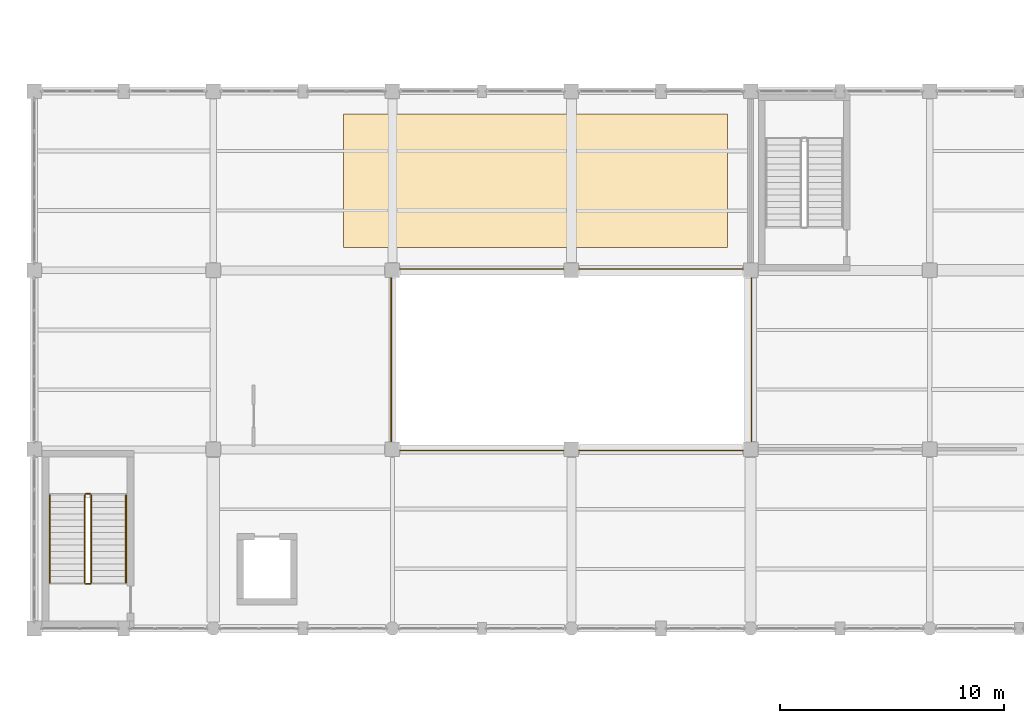
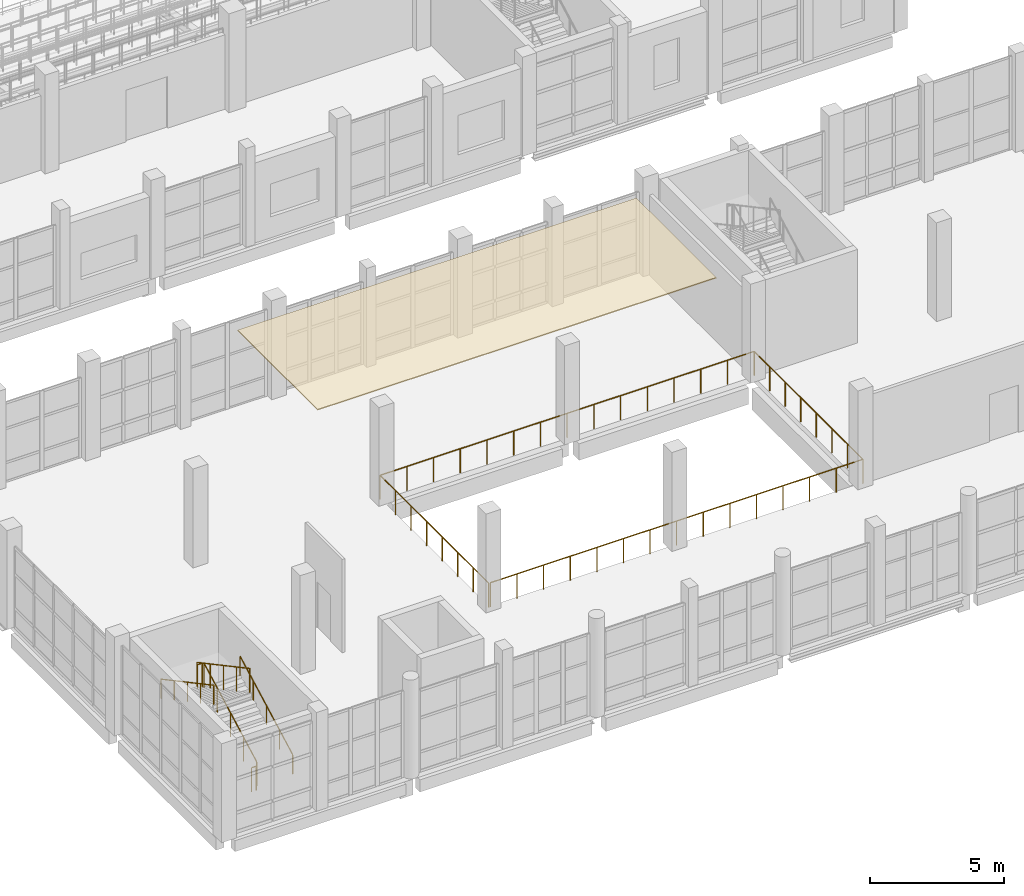
# One storey, part 165 of 183: 7 railings, 1 covering.
"""IFC4 building model written with IfcOpenShell, lengths in metres."""

from ifc_helpers import new_model, si_unit, direction, frame, origin, origin_2d, place, context, subcontext, project, spatial, polyline, circle, outline, extrude, material, layer, layer_set, type_object, element, save


model = new_model("IFC4")

# Units and contexts
model_context = context("Model", 3, precision=1e-05, world=origin(), true_north=direction((0.0, 1.0)))
body_context = subcontext(model_context, "Body", "Model", "MODEL_VIEW")
ifc_project = project(units=[si_unit("LENGTHUNIT", "METRE"), si_unit("AREAUNIT", "SQUARE_METRE"), si_unit("VOLUMEUNIT", "CUBIC_METRE"), si_unit("PLANEANGLEUNIT", "RADIAN"), si_unit("MASSUNIT", "GRAM", prefix="KILO")], contexts=[model_context])

# Site, building, storey
site_placement = place(None, origin())
site = spatial("IfcSite", under=ifc_project, at=site_placement, CompositionType="ELEMENT")
building_placement = place(site_placement, origin())
building = spatial("IfcBuilding", under=site, at=building_placement, Name="Luwemba Playhouse", CompositionType="ELEMENT")
storey_placement = place(building_placement, frame((0.0, 0.0, 4.800048828125)))
storey = spatial("IfcBuildingStorey", under=building, at=storey_placement, Name="L01", CompositionType="ELEMENT", Elevation=4.800048828125)

# Covering
ifc_material_1 = material(Name="Perforated acoustic gypsum and timber baffle ceiling", Category="wood")
ifc_layer = layer(ifc_material_1, 0.044921875)
ifc_layer_set = layer_set([ifc_layer], Name="Perforated acoustic gypsum and timber baffle ceiling")
covering_type = type_object("IfcCoveringType", Name="COV-CEIL-AC", PredefinedType="CEILING", material=ifc_layer_set)
covering_placement = place(storey_placement, frame((0.0, 0.0, 4.204833984375)))
element("IfcCovering", 1, at=covering_placement, inside=storey, type_object=covering_type, Name="L01 Stage Costume and Set Model Exhibition Room acoustic ceiling cloud", PredefinedType="CEILING", context=body_context, shape_type="SweptSolid", body=[
    extrude(outline(polyline([(17.820068359375, 20.02001953125), (34.97998046875, 20.02001953125), (34.97998046875, 25.97998046875), (17.820068359375, 25.97998046875), (17.820068359375, 20.02001953125)])), origin(), (0.0, 0.0, 1.0), 0.045166015625),
])

# Railings
ifc_material_2 = material(Name="Painted wrought-iron gallery balustrade", Category="steel")
railing_type_1 = type_object("IfcRailingType", Name="RLG-BAL-INT", PredefinedType="BALUSTRADE", material=ifc_material_2)
railing_1_placement = place(storey_placement, frame((6.550048828125, 5.0400390625, 0.14990234375)))
element("IfcRailing", 2, at=railing_1_placement, inside=storey, type_object=railing_type_1, Name="L01 ST-04 stair guard 1", PredefinedType="BALUSTRADE", context=body_context, shape_type="SweptSolid", body=[
    extrude(circle(Radius=0.02392578125, at=origin_2d()), frame((0.0, 0.0, 1.09619140625), z_axis=(0.0, 0.881466911329, 0.472245787945), x_axis=(-1.0, 0.0, 0.0)), (0.0, 0.0, 1.0), 4.447021484375),
    extrude(circle(Radius=0.02099609375, at=origin_2d()), origin(), (0.0, 0.0, 1.0), 1.072021484375),
    extrude(circle(Radius=0.02099609375, at=origin_2d()), frame((0.0, 0.97998046875, 0.52490234375)), (0.0, 0.0, 1.0), 1.072021484375),
    extrude(circle(Radius=0.02099609375, at=origin_2d()), frame((0.0, 1.9599609375, 1.050048828125)), (0.0, 0.0, 1.0), 1.072021484375),
    extrude(circle(Radius=0.02099609375, at=origin_2d()), frame((0.0, 2.93994140625, 1.5751953125)), (0.0, 0.0, 1.0), 1.072021484375),
    extrude(circle(Radius=0.02099609375, at=origin_2d()), frame((0.0, 3.919921875, 2.10009765625)), (0.0, 0.0, 1.0), 1.072021484375),
])
railing_2_placement = place(storey_placement, frame((6.5, 9.010009765625, 2.25)))
element("IfcRailing", 3, at=railing_2_placement, inside=storey, type_object=railing_type_1, Name="L01 ST-04 stair guard 2", PredefinedType="BALUSTRADE", context=body_context, shape_type="SweptSolid", body=[
    extrude(circle(Radius=0.02392578125, at=origin_2d()), frame((0.0, 0.0, 1.09619140625), z_axis=(-1.0, 0.0, 0.0), x_axis=(0.0, -1.0, 0.0)), (0.0, 0.0, 1.0), 0.199951171875),
    extrude(circle(Radius=0.02099609375, at=origin_2d()), origin(), (0.0, 0.0, 1.0), 1.072021484375),
    extrude(circle(Radius=0.02099609375, at=origin_2d()), frame((-0.199951171875, 0.0, 0.0)), (0.0, 0.0, 1.0), 1.072021484375),
])
railing_3_placement = place(storey_placement, frame((6.25, 8.9599609375, 2.39990234375)))
element("IfcRailing", 4, at=railing_3_placement, inside=storey, type_object=railing_type_1, Name="L01 ST-04 stair guard 3", PredefinedType="BALUSTRADE", context=body_context, shape_type="SweptSolid", body=[
    extrude(circle(Radius=0.02392578125, at=origin_2d()), frame((0.0, 0.0, 1.09619140625), z_axis=(0.0, -0.881466911329, 0.472245787945), x_axis=(1.0, 0.0, 0.0)), (0.0, 0.0, 1.0), 4.447021484375),
    extrude(circle(Radius=0.02099609375, at=origin_2d()), origin(), (0.0, 0.0, 1.0), 1.072021484375),
    extrude(circle(Radius=0.02099609375, at=origin_2d()), frame((0.0, -0.97998046875, 0.52490234375)), (0.0, 0.0, 1.0), 1.072021484375),
    extrude(circle(Radius=0.02099609375, at=origin_2d()), frame((0.0, -1.9599609375, 1.050048828125)), (0.0, 0.0, 1.0), 1.072021484375),
    extrude(circle(Radius=0.02099609375, at=origin_2d()), frame((0.0, -2.93994140625, 1.5751953125)), (0.0, 0.0, 1.0), 1.072021484375),
    extrude(circle(Radius=0.02099609375, at=origin_2d()), frame((0.0, -3.919921875, 2.10009765625)), (0.0, 0.0, 1.0), 1.072021484375),
])
railing_4_placement = place(storey_placement, frame((6.5, 4.989990234375, 0.0)))
element("IfcRailing", 5, at=railing_4_placement, inside=storey, type_object=railing_type_1, Name="L01 ST-04 stair guard 4", PredefinedType="BALUSTRADE", context=body_context, shape_type="SweptSolid", body=[
    extrude(circle(Radius=0.02392578125, at=origin_2d()), frame((0.0, 0.0, 1.09619140625), z_axis=(-1.0, 0.0, 0.0), x_axis=(0.0, -1.0, 0.0)), (0.0, 0.0, 1.0), 0.199951171875),
    extrude(circle(Radius=0.02099609375, at=origin_2d()), origin(), (0.0, 0.0, 1.0), 1.072021484375),
    extrude(circle(Radius=0.02099609375, at=origin_2d()), frame((-0.199951171875, 0.0, 0.0)), (0.0, 0.0, 1.0), 1.072021484375),
])
railing_5_placement = place(storey_placement, frame((20.02001953125, 10.949951171875, 0.0)))
element("IfcRailing", 6, at=railing_5_placement, inside=storey, type_object=railing_type_1, Name="L01 V5W gallery void balustrade 008", PredefinedType="BALUSTRADE", context=body_context, shape_type="SweptSolid", body=[
    extrude(circle(Radius=0.02392578125, at=origin_2d()), frame((0.0, 0.0, 1.09619140625), z_axis=(1.0, 0.0, 0.0), x_axis=(0.0, 1.0, 0.0)), (0.0, 0.0, 1.0), 16.030029296875),
    extrude(circle(Radius=0.02392578125, at=origin_2d()), frame((16.030029296875, 0.0, 1.09619140625), z_axis=(0.0, 1.0, 0.0), x_axis=(-1.0, 0.0, 0.0)), (0.0, 0.0, 1.0), 8.10009765625),
    extrude(circle(Radius=0.02392578125, at=origin_2d()), frame((16.030029296875, 8.10009765625, 1.09619140625), z_axis=(-1.0, 0.0, 0.0), x_axis=(0.0, -1.0, 0.0)), (0.0, 0.0, 1.0), 16.10009765625),
    extrude(circle(Radius=0.02392578125, at=origin_2d()), frame((-0.070068359375, 8.10009765625, 1.09619140625), z_axis=(0.0, -1.0, 0.0), x_axis=(1.0, 0.0, 0.0)), (0.0, 0.0, 1.0), 8.10009765625),
    extrude(circle(Radius=0.02099609375, at=origin_2d()), origin(), (0.0, 0.0, 1.0), 1.072021484375),
    extrude(circle(Radius=0.02099609375, at=origin_2d()), frame((1.14501953125, 0.0, 0.0)), (0.0, 0.0, 1.0), 1.072021484375),
    extrude(circle(Radius=0.02099609375, at=origin_2d()), frame((2.2900390625, 0.0, 0.0)), (0.0, 0.0, 1.0), 1.072021484375),
    extrude(circle(Radius=0.02099609375, at=origin_2d()), frame((3.43505859375, 0.0, 0.0)), (0.0, 0.0, 1.0), 1.072021484375),
    extrude(circle(Radius=0.02099609375, at=origin_2d()), frame((4.580078125, 0.0, 0.0)), (0.0, 0.0, 1.0), 1.072021484375),
    extrude(circle(Radius=0.02099609375, at=origin_2d()), frame((5.72509765625, 0.0, 0.0)), (0.0, 0.0, 1.0), 1.072021484375),
    extrude(circle(Radius=0.02099609375, at=origin_2d()), frame((6.8701171875, 0.0, 0.0)), (0.0, 0.0, 1.0), 1.072021484375),
    extrude(circle(Radius=0.02099609375, at=origin_2d()), frame((8.01513671875, 0.0, 0.0)), (0.0, 0.0, 1.0), 1.072021484375),
    extrude(circle(Radius=0.02099609375, at=origin_2d()), frame((9.159912109375, 0.0, 0.0)), (0.0, 0.0, 1.0), 1.072021484375),
    extrude(circle(Radius=0.02099609375, at=origin_2d()), frame((10.304931640625, 0.0, 0.0)), (0.0, 0.0, 1.0), 1.072021484375),
    extrude(circle(Radius=0.02099609375, at=origin_2d()), frame((11.449951171875, 0.0, 0.0)), (0.0, 0.0, 1.0), 1.072021484375),
    extrude(circle(Radius=0.02099609375, at=origin_2d()), frame((12.594970703125, 0.0, 0.0)), (0.0, 0.0, 1.0), 1.072021484375),
    extrude(circle(Radius=0.02099609375, at=origin_2d()), frame((13.739990234375, 0.0, 0.0)), (0.0, 0.0, 1.0), 1.072021484375),
    extrude(circle(Radius=0.02099609375, at=origin_2d()), frame((14.885009765625, 0.0, 0.0)), (0.0, 0.0, 1.0), 1.072021484375),
    extrude(circle(Radius=0.02099609375, at=origin_2d()), frame((16.030029296875, 0.0, 0.0)), (0.0, 0.0, 1.0), 1.072021484375),
    extrude(circle(Radius=0.02099609375, at=origin_2d()), frame((16.030029296875, 1.1572265625, 0.0)), (0.0, 0.0, 1.0), 1.072021484375),
    extrude(circle(Radius=0.02099609375, at=origin_2d()), frame((16.030029296875, 2.314208984375, 0.0)), (0.0, 0.0, 1.0), 1.072021484375),
    extrude(circle(Radius=0.02099609375, at=origin_2d()), frame((16.030029296875, 3.471435546875, 0.0)), (0.0, 0.0, 1.0), 1.072021484375),
    extrude(circle(Radius=0.02099609375, at=origin_2d()), frame((16.030029296875, 4.628662109375, 0.0)), (0.0, 0.0, 1.0), 1.072021484375),
    extrude(circle(Radius=0.02099609375, at=origin_2d()), frame((16.030029296875, 5.785888671875, 0.0)), (0.0, 0.0, 1.0), 1.072021484375),
    extrude(circle(Radius=0.02099609375, at=origin_2d()), frame((16.030029296875, 6.94287109375, 0.0)), (0.0, 0.0, 1.0), 1.072021484375),
    extrude(circle(Radius=0.02099609375, at=origin_2d()), frame((16.030029296875, 8.10009765625, 0.0)), (0.0, 0.0, 1.0), 1.072021484375),
    extrude(circle(Radius=0.02099609375, at=origin_2d()), frame((14.880126953125, 8.10009765625, 0.0)), (0.0, 0.0, 1.0), 1.072021484375),
    extrude(circle(Radius=0.02099609375, at=origin_2d()), frame((13.72998046875, 8.10009765625, 0.0)), (0.0, 0.0, 1.0), 1.072021484375),
    extrude(circle(Radius=0.02099609375, at=origin_2d()), frame((12.580078125, 8.10009765625, 0.0)), (0.0, 0.0, 1.0), 1.072021484375),
    extrude(circle(Radius=0.02099609375, at=origin_2d()), frame((11.429931640625, 8.10009765625, 0.0)), (0.0, 0.0, 1.0), 1.072021484375),
    extrude(circle(Radius=0.02099609375, at=origin_2d()), frame((10.280029296875, 8.10009765625, 0.0)), (0.0, 0.0, 1.0), 1.072021484375),
    extrude(circle(Radius=0.02099609375, at=origin_2d()), frame((9.1298828125, 8.10009765625, 0.0)), (0.0, 0.0, 1.0), 1.072021484375),
    extrude(circle(Radius=0.02099609375, at=origin_2d()), frame((7.97998046875, 8.10009765625, 0.0)), (0.0, 0.0, 1.0), 1.072021484375),
    extrude(circle(Radius=0.02099609375, at=origin_2d()), frame((6.830078125, 8.10009765625, 0.0)), (0.0, 0.0, 1.0), 1.072021484375),
    extrude(circle(Radius=0.02099609375, at=origin_2d()), frame((5.679931640625, 8.10009765625, 0.0)), (0.0, 0.0, 1.0), 1.072021484375),
    extrude(circle(Radius=0.02099609375, at=origin_2d()), frame((4.530029296875, 8.10009765625, 0.0)), (0.0, 0.0, 1.0), 1.072021484375),
    extrude(circle(Radius=0.02099609375, at=origin_2d()), frame((3.3798828125, 8.10009765625, 0.0)), (0.0, 0.0, 1.0), 1.072021484375),
    extrude(circle(Radius=0.02099609375, at=origin_2d()), frame((2.22998046875, 8.10009765625, 0.0)), (0.0, 0.0, 1.0), 1.072021484375),
    extrude(circle(Radius=0.02099609375, at=origin_2d()), frame((1.079833984375, 8.10009765625, 0.0)), (0.0, 0.0, 1.0), 1.072021484375),
    extrude(circle(Radius=0.02099609375, at=origin_2d()), frame((-0.070068359375, 8.10009765625, 0.0)), (0.0, 0.0, 1.0), 1.072021484375),
    extrude(circle(Radius=0.02099609375, at=origin_2d()), frame((-0.070068359375, 6.94287109375, 0.0)), (0.0, 0.0, 1.0), 1.072021484375),
    extrude(circle(Radius=0.02099609375, at=origin_2d()), frame((-0.070068359375, 5.785888671875, 0.0)), (0.0, 0.0, 1.0), 1.072021484375),
    extrude(circle(Radius=0.02099609375, at=origin_2d()), frame((-0.070068359375, 4.628662109375, 0.0)), (0.0, 0.0, 1.0), 1.072021484375),
    extrude(circle(Radius=0.02099609375, at=origin_2d()), frame((-0.070068359375, 3.471435546875, 0.0)), (0.0, 0.0, 1.0), 1.072021484375),
    extrude(circle(Radius=0.02099609375, at=origin_2d()), frame((-0.070068359375, 2.314208984375, 0.0)), (0.0, 0.0, 1.0), 1.072021484375),
    extrude(circle(Radius=0.02099609375, at=origin_2d()), frame((-0.070068359375, 1.1572265625, 0.0)), (0.0, 0.0, 1.0), 1.072021484375),
    extrude(circle(Radius=0.02099609375, at=origin_2d()), frame((-0.070068359375, 0.0, 0.0)), (0.0, 0.0, 1.0), 1.072021484375),
])
ifc_material_3 = material(Name="Hardwood and bronze handrail", Category="wood")
railing_type_2 = type_object("IfcRailingType", Name="RLG-HR-INT", PredefinedType="HANDRAIL", material=ifc_material_3)
railing_6_placement = place(storey_placement, frame((8.10009765625, 5.0400390625, 0.14990234375)))
element("IfcRailing", 7, at=railing_6_placement, inside=storey, type_object=railing_type_2, Name="L01 ST-04 stair handrail 1", PredefinedType="HANDRAIL", context=body_context, shape_type="SweptSolid", body=[
    extrude(circle(Radius=0.02392578125, at=origin_2d()), frame((0.0, 0.0, 0.8759765625), z_axis=(0.0, 0.881466911329, 0.472245787945), x_axis=(-1.0, 0.0, 0.0)), (0.0, 0.0, 1.0), 4.447021484375),
    extrude(circle(Radius=0.02099609375, at=origin_2d()), origin(), (0.0, 0.0, 1.0), 0.851806640625),
    extrude(circle(Radius=0.02099609375, at=origin_2d()), frame((0.0, 0.97998046875, 0.52490234375)), (0.0, 0.0, 1.0), 0.851806640625),
    extrude(circle(Radius=0.02099609375, at=origin_2d()), frame((0.0, 1.9599609375, 1.050048828125)), (0.0, 0.0, 1.0), 0.851806640625),
    extrude(circle(Radius=0.02099609375, at=origin_2d()), frame((0.0, 2.93994140625, 1.5751953125)), (0.0, 0.0, 1.0), 0.851806640625),
    extrude(circle(Radius=0.02099609375, at=origin_2d()), frame((0.0, 3.919921875, 2.10009765625)), (0.0, 0.0, 1.0), 0.851806640625),
])
railing_7_placement = place(storey_placement, frame((4.699951171875, 8.9599609375, 2.39990234375)))
element("IfcRailing", 8, at=railing_7_placement, inside=storey, type_object=railing_type_2, Name="L01 ST-04 stair handrail 2", PredefinedType="HANDRAIL", context=body_context, shape_type="SweptSolid", body=[
    extrude(circle(Radius=0.02392578125, at=origin_2d()), frame((0.0, 0.0, 0.8759765625), z_axis=(0.0, -0.881466911329, 0.472245787945), x_axis=(1.0, 0.0, 0.0)), (0.0, 0.0, 1.0), 4.447021484375),
    extrude(circle(Radius=0.02099609375, at=origin_2d()), origin(), (0.0, 0.0, 1.0), 0.851806640625),
    extrude(circle(Radius=0.02099609375, at=origin_2d()), frame((0.0, -0.97998046875, 0.52490234375)), (0.0, 0.0, 1.0), 0.851806640625),
    extrude(circle(Radius=0.02099609375, at=origin_2d()), frame((0.0, -1.9599609375, 1.050048828125)), (0.0, 0.0, 1.0), 0.851806640625),
    extrude(circle(Radius=0.02099609375, at=origin_2d()), frame((0.0, -2.93994140625, 1.5751953125)), (0.0, 0.0, 1.0), 0.851806640625),
    extrude(circle(Radius=0.02099609375, at=origin_2d()), frame((0.0, -3.919921875, 2.10009765625)), (0.0, 0.0, 1.0), 0.851806640625),
])

save(model, "model.ifc")
